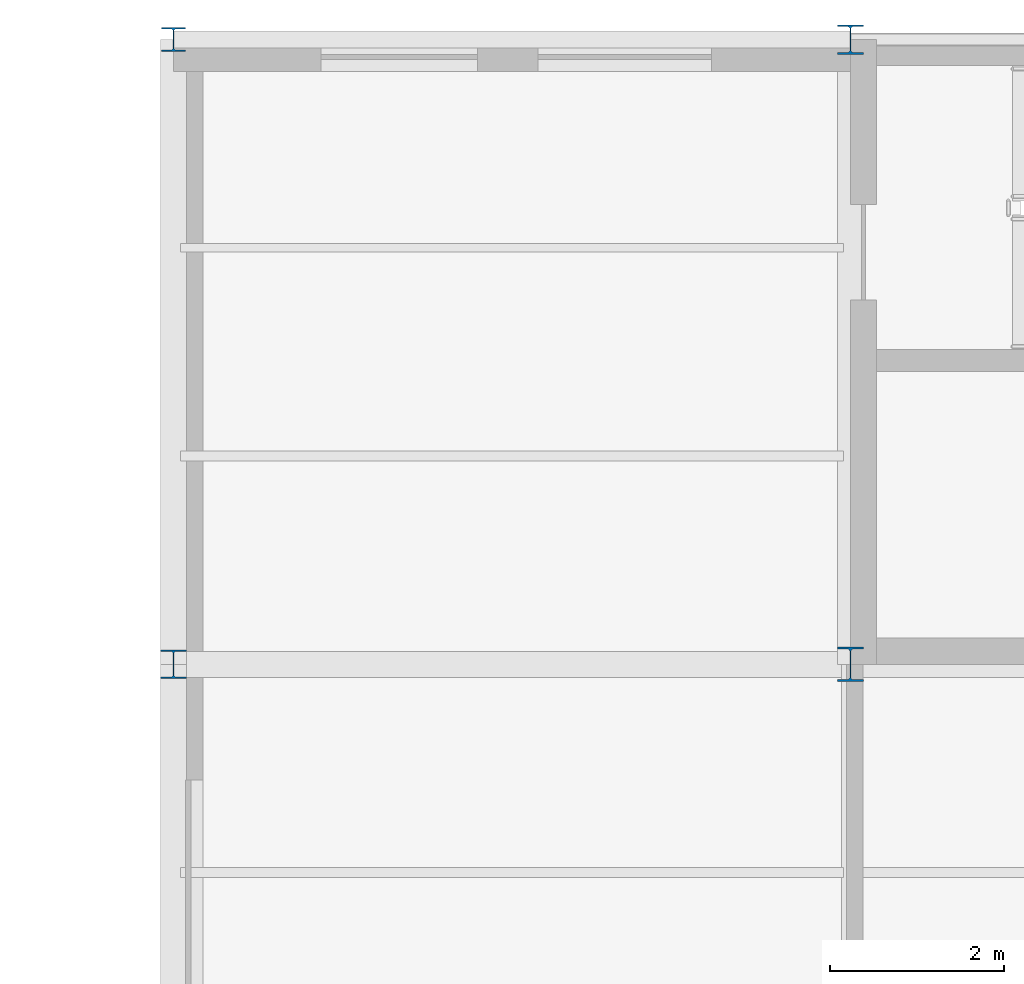
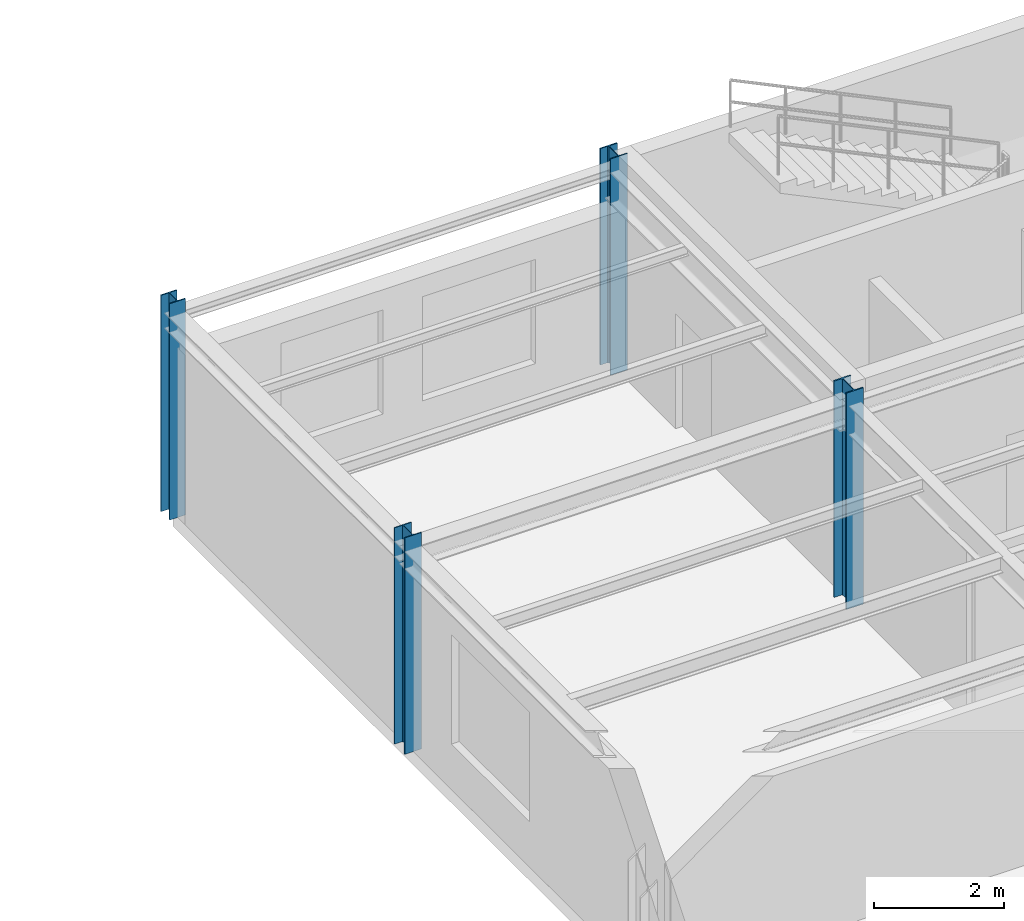
# One storey, part 11 of 70: 4 columns.
"""IFC4 building model written with IfcOpenShell, lengths in metres."""

from ifc_helpers import new_model, si_unit, derived_unit, direction, frame, origin, origin_2d, place, context, subcontext, project, spatial, i_section, extrude, material, material_profile, profile_set, type_object, element, save


model = new_model("IFC4")

# Units and contexts
model_context = context("Model", 3, precision=1e-05, world=origin(), true_north=direction((0.0, 1.0)))
body_context = subcontext(model_context, "Body", "Model", "MODEL_VIEW")
ifc_project = project(units=[si_unit("LENGTHUNIT", "METRE"), si_unit("AREAUNIT", "SQUARE_METRE"), si_unit("VOLUMEUNIT", "CUBIC_METRE"), si_unit("PLANEANGLEUNIT", "RADIAN"), si_unit("MASSUNIT", "GRAM", prefix="KILO"), derived_unit("THERMALTRANSMITTANCEUNIT", [(si_unit("POWERUNIT", "WATT"), 1), (si_unit("AREAUNIT", "SQUARE_METRE"), -1), (si_unit("THERMODYNAMICTEMPERATUREUNIT", "KELVIN"), -1)])], contexts=[model_context])

# Site, building, storey
site_placement = place(None, origin())
site = spatial("IfcSite", under=ifc_project, at=site_placement, CompositionType="ELEMENT")
building_placement = place(site_placement, origin())
building = spatial("IfcBuilding", under=site, at=building_placement, Name="Yasenodar Specialist Clinic", CompositionType="ELEMENT")
storey_placement = place(building_placement, frame((0.0, 0.0, 13.199951171875)))
storey = spatial("IfcBuildingStorey", under=building, at=storey_placement, Name="L03", CompositionType="ELEMENT", Elevation=13.199951171875)

# Columns
ifc_material = material(Name="Steel S355", Category="steel")
ifc_material_profile_1 = material_profile(ifc_material, i_section(OverallWidth=0.300048828125, OverallDepth=0.330078125, WebThickness=0.009521484375, FlangeThickness=0.0166015625, FilletRadius=0.027099609375, at=origin_2d()), Name="HEA 340")
ifc_profile_set_1 = profile_set([ifc_material_profile_1], Name="Steel S355")
column_type_1 = type_object("IfcColumnType", Name="COL-ST-HEA340", PredefinedType="COLUMN", material=ifc_profile_set_1)
column_1_placement = place(storey_placement, frame((49.199951171875, 104.39990234375, 0.0), z_axis=(0.0, 0.0, 1.0), x_axis=(1.0, 0.0, 0.0)))
element("IfcColumn", 1, at=column_1_placement, inside=storey, type_object=column_type_1, Name="L03 Column V5-084", PredefinedType="COLUMN", context=body_context, shape_type="SweptSolid", body=[
    extrude(i_section(OverallWidth=0.300048828125, OverallDepth=0.330078125, WebThickness=0.009521484375, FlangeThickness=0.0166015625, FilletRadius=0.027099609375, at=origin_2d()), origin(), (0.0, 0.0, 1.0), 4.050048828125),
])
ifc_material_profile_2 = material_profile(ifc_material, i_section(OverallWidth=0.280029296875, OverallDepth=0.280029296875, WebThickness=0.010498046875, FlangeThickness=0.01806640625, FilletRadius=0.02392578125, at=origin_2d()), Name="HEB 280")
ifc_profile_set_2 = profile_set([ifc_material_profile_2], Name="Steel S355")
column_type_2 = type_object("IfcColumnType", Name="COL-ST-HEB280", PredefinedType="COLUMN", material=ifc_profile_set_2)
column_2_placement = place(storey_placement, frame((49.199951171875, 111.60009765625, 0.0), z_axis=(0.0, 0.0, 1.0), x_axis=(1.0, 0.0, 0.0)))
element("IfcColumn", 2, at=column_2_placement, inside=storey, type_object=column_type_2, Name="L03 Column V5-085", PredefinedType="COLUMN", context=body_context, shape_type="SweptSolid", body=[
    extrude(i_section(OverallWidth=0.280029296875, OverallDepth=0.280029296875, WebThickness=0.010498046875, FlangeThickness=0.01806640625, FilletRadius=0.02392578125, at=origin_2d()), origin(), (0.0, 0.0, 1.0), 4.050048828125),
])
ifc_material_profile_3 = material_profile(ifc_material, i_section(OverallWidth=0.300048828125, OverallDepth=0.340087890625, WebThickness=0.011962890625, FlangeThickness=0.021484375, FilletRadius=0.027099609375, at=origin_2d()), Name="HEB 340")
ifc_profile_set_3 = profile_set([ifc_material_profile_3], Name="Steel S355")
column_type_3 = type_object("IfcColumnType", Name="COL-ST-HEB340", PredefinedType="COLUMN", material=ifc_profile_set_3)
column_3_placement = place(storey_placement, frame((57.0, 111.60009765625, 0.0), z_axis=(0.0, 0.0, 1.0), x_axis=(1.0, 0.0, 0.0)))
element("IfcColumn", 3, at=column_3_placement, inside=storey, type_object=column_type_3, Name="L03 Column V5-092", PredefinedType="COLUMN", context=body_context, shape_type="SweptSolid", body=[
    extrude(i_section(OverallWidth=0.300048828125, OverallDepth=0.340087890625, WebThickness=0.011962890625, FlangeThickness=0.021484375, FilletRadius=0.027099609375, at=origin_2d()), origin(), (0.0, 0.0, 1.0), 4.050048828125),
])
ifc_material_profile_4 = material_profile(ifc_material, i_section(OverallWidth=0.300048828125, OverallDepth=0.39990234375, WebThickness=0.013427734375, FlangeThickness=0.02392578125, FilletRadius=0.027099609375, at=origin_2d()), Name="HEB 400")
ifc_profile_set_4 = profile_set([ifc_material_profile_4], Name="Steel S355")
column_type_4 = type_object("IfcColumnType", Name="COL-ST-HEB400", PredefinedType="COLUMN", material=ifc_profile_set_4)
column_4_placement = place(storey_placement, frame((57.0, 104.39990234375, 0.0), z_axis=(0.0, 0.0, 1.0), x_axis=(1.0, 0.0, 0.0)))
element("IfcColumn", 4, at=column_4_placement, inside=storey, type_object=column_type_4, Name="L03 Column V5-091", PredefinedType="COLUMN", context=body_context, shape_type="SweptSolid", body=[
    extrude(i_section(OverallWidth=0.300048828125, OverallDepth=0.39990234375, WebThickness=0.013427734375, FlangeThickness=0.02392578125, FilletRadius=0.027099609375, at=origin_2d()), origin(), (0.0, 0.0, 1.0), 4.050048828125),
])

save(model, "model.ifc")
